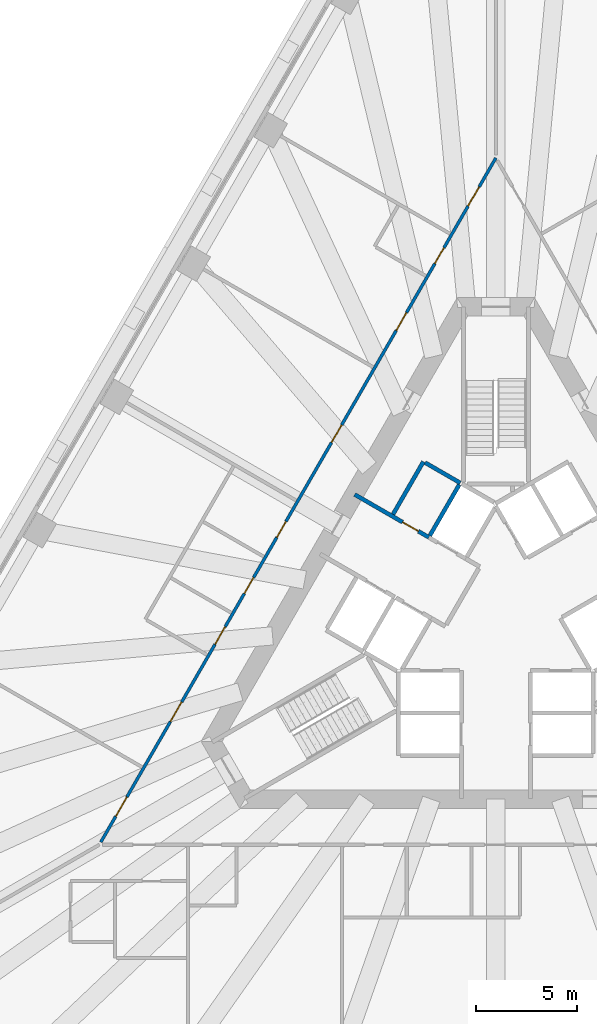
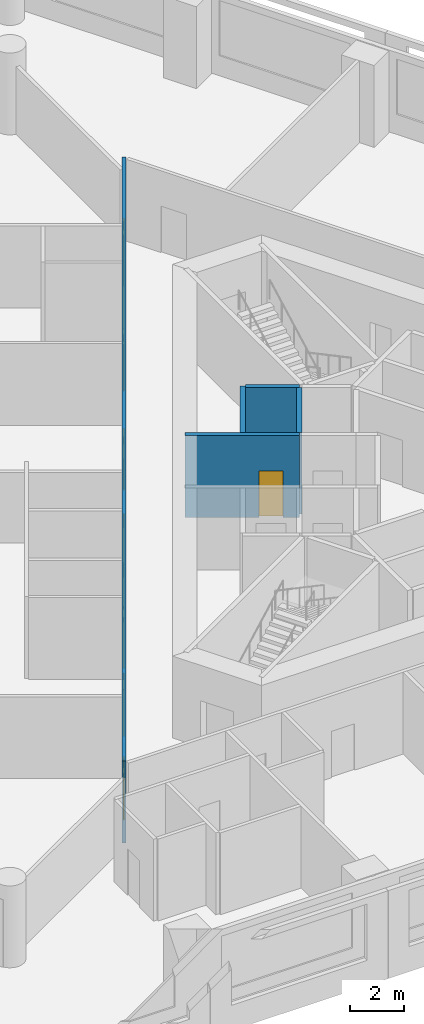
# One storey, part 4 of 11: 10 doors, 5 walls, 10 openings.
"""IFC4 building model written with IfcOpenShell, lengths in metres."""

from ifc_helpers import new_model, si_unit, direction, frame, frame_2d, origin, place, context, subcontext, project, spatial, rectangle, extrude, material, layer, layer_set, type_object, element, fill, save


model = new_model("IFC4")

# Units and contexts
model_context = context("Model", 3, precision=1e-05, world=origin(), true_north=direction((0.0, 1.0)))
body_context = subcontext(model_context, "Body", "Model", "MODEL_VIEW")
ifc_project = project(units=[si_unit("LENGTHUNIT", "METRE"), si_unit("AREAUNIT", "SQUARE_METRE"), si_unit("VOLUMEUNIT", "CUBIC_METRE"), si_unit("PLANEANGLEUNIT", "RADIAN"), si_unit("MASSUNIT", "GRAM", prefix="KILO")], contexts=[model_context])

# Site, building, storey
site_placement = place(None, origin())
site = spatial("IfcSite", under=ifc_project, at=site_placement, CompositionType="ELEMENT")
building_placement = place(site_placement, origin())
building = spatial("IfcBuilding", under=site, at=building_placement, Name="Triada Interchange Tower", CompositionType="ELEMENT")
storey_placement = place(building_placement, frame((0.0, 0.0, 35.300048828125)))
storey = spatial("IfcBuildingStorey", under=building, at=storey_placement, Name="L06", CompositionType="ELEMENT", Elevation=35.300048828125)

# Wall, opening, door
ifc_material_1 = material(Name="Concrete C30/37", Category="concrete")
ifc_layer_1 = layer(ifc_material_1, 0.199951171875)
ifc_layer_set_1 = layer_set([ifc_layer_1], Name="CORE WALL 200 EI 180")
wall_type_1 = type_object("IfcWallType", Name="CORE WALL 200 EI 180", PredefinedType="SOLIDWALL", material=ifc_layer_set_1)
wall_1_placement = place(storey_placement, frame((-6.969970703125, 5.987060546875, 0.0), z_axis=(0.0, 0.0, 1.0), x_axis=(0.866029956157, -0.499992114976, 0.0)))
wall_1 = element("IfcWall", 1, at=wall_1_placement, inside=storey, type_object=wall_type_1, Name="Wall L06 70", PredefinedType="SOLIDWALL", context=body_context, shape_type="SweptSolid", body=[
    extrude(rectangle(XDim=4.23193359375, YDim=0.199951171875, at=frame_2d((2.115966796875, 0.0))), origin(), (0.0, 0.0, 1.0), 3.699951171875),
])
opening_1_placement = place(wall_1_placement, frame((2.72998046875, 0.0, 0.0)))
opening_1 = element("IfcOpeningElement", 2, at=opening_1_placement, cuts=wall_1, Name="Opening D06-10", PredefinedType="OPENING", context=body_context, shape_type="SweptSolid", body=[
    extrude(rectangle(XDim=0.89990234375, YDim=2.10009765625, at=frame_2d((0.449951171875, 1.050048828125))), frame((0.0, 0.10986328125, 0.0), z_axis=(0.0, -1.0, 0.0), x_axis=(1.0, 0.0, 0.0)), (0.0, 0.0, 1.0), 0.219970703125),
])
ifc_material_2 = material(Name="Steel S235 door leaf", Category="steel")
door_type_1 = type_object("IfcDoorType", Name="SERVICE DOOR 900 EI2 90-C5S200", OperationType="NOTDEFINED", PredefinedType="DOOR", material=ifc_material_2)
door_1_placement = place(opening_1_placement, origin())
door_1 = element("IfcDoor", 3, at=door_1_placement, inside=storey, type_object=door_type_1, Name="Door D06-10 L06", OperationType="SINGLE_SWING_LEFT", OverallHeight=2.10009765625, OverallWidth=0.89990234375, PredefinedType="DOOR", context=body_context, shape_type="SweptSolid", body=[
    extrude(rectangle(XDim=0.89990234375, YDim=2.10009765625, at=frame_2d((0.449951171875, 1.050048828125))), frame((0.0, 0.02490234375, 0.0), z_axis=(0.0, -1.0, 0.0), x_axis=(1.0, 0.0, 0.0)), (0.0, 0.0, 1.0), 0.050048828125),
])
fill(opening_1, door_1)

# Walls
wall_2_placement = place(storey_placement, frame((-5.075927734375, 5.009033203125, 0.0), z_axis=(0.0, 0.0, 1.0), x_axis=(0.50002537861, 0.866010750942, 0.0)))
element("IfcWall", 4, at=wall_2_placement, inside=storey, type_object=wall_type_1, Name="Wall L06 72", PredefinedType="SOLIDWALL", context=body_context, shape_type="SweptSolid", body=[
    extrude(rectangle(XDim=2.999755859375, YDim=0.199951171875, at=frame_2d((1.5, 0.0))), origin(), (0.0, 0.0, 1.0), 3.699951171875),
])
wall_3_placement = place(storey_placement, frame((-3.489013671875, 7.556884765625, 0.0), z_axis=(0.0, 0.0, 1.0), x_axis=(0.866010750942, -0.50002537861, 0.0)))
element("IfcWall", 5, at=wall_3_placement, inside=storey, type_object=wall_type_1, Name="Wall L06 73", PredefinedType="SOLIDWALL", context=body_context, shape_type="SweptSolid", body=[
    extrude(rectangle(XDim=2.0, YDim=0.199951171875, at=frame_2d((1.0, 0.0))), origin(), (0.0, 0.0, 1.0), 3.699951171875),
])
wall_4_placement = place(storey_placement, frame((-3.257080078125, 3.958984375, 0.0), z_axis=(0.0, 0.0, 1.0), x_axis=(0.50012328804, 0.865954211699, 0.0)))
element("IfcWall", 6, at=wall_4_placement, inside=storey, type_object=wall_type_1, Name="Shaft wall FF2 L06 80", PredefinedType="SOLIDWALL", context=body_context, shape_type="SweptSolid", body=[
    extrude(rectangle(XDim=2.899658203125, YDim=0.199951171875, at=frame_2d((1.44970703125, 0.0))), origin(), (0.0, 0.0, 1.0), 3.699951171875),
])

# Wall, openings, doors
ifc_material_3 = material(Name="Gypsum board partition")
ifc_layer_2 = layer(ifc_material_3, 0.14990234375)
ifc_layer_set_2 = layer_set([ifc_layer_2], Name="PARTITION 150 EI 180")
wall_type_2 = type_object("IfcWallType", Name="PARTITION 150 EI 180", PredefinedType="PARTITIONING", material=ifc_layer_set_2)
wall_5_placement = place(storey_placement, frame((-19.4970703125, -11.169921875, 0.0), z_axis=(0.0, 0.0, 1.0), x_axis=(0.499998854553, 0.866026065108, 0.0)))
wall_5 = element("IfcWall", 7, at=wall_5_placement, inside=storey, type_object=wall_type_2, Name="Wall L06 4", PredefinedType="PARTITIONING", context=body_context, shape_type="SweptSolid", body=[
    extrude(rectangle(XDim=38.994140625, YDim=0.14990234375, at=frame_2d((19.4970703125, 0.0))), origin(), (0.0, 0.0, 1.0), 3.699951171875),
])
opening_2_placement = place(wall_5_placement, frame((36.243896484375, 0.0, 0.0)))
opening_2 = element("IfcOpeningElement", 8, at=opening_2_placement, cuts=wall_5, Name="Opening D06-31", PredefinedType="OPENING", context=body_context, shape_type="SweptSolid", body=[
    extrude(rectangle(XDim=1.10009765625, YDim=2.10009765625, at=frame_2d((0.550048828125, 1.050048828125))), frame((0.0, 0.0849609375, 0.0), z_axis=(0.0, -1.0, 0.0), x_axis=(1.0, 0.0, 0.0)), (0.0, 0.0, 1.0), 0.169921875),
])
opening_3_placement = place(wall_5_placement, frame((29.1708984375, 0.0, 0.0)))
opening_3 = element("IfcOpeningElement", 9, at=opening_3_placement, cuts=wall_5, Name="Opening D06-32", PredefinedType="OPENING", context=body_context, shape_type="SweptSolid", body=[
    extrude(rectangle(XDim=1.0, YDim=2.10009765625, at=frame_2d((0.5, 1.050048828125))), frame((0.0, 0.0849609375, 0.0), z_axis=(0.0, -1.0, 0.0), x_axis=(1.0, 0.0, 0.0)), (0.0, 0.0, 1.0), 0.169921875),
])
opening_4_placement = place(wall_5_placement, frame((32.970947265625, 0.0, 0.0)))
opening_4 = element("IfcOpeningElement", 10, at=opening_4_placement, cuts=wall_5, Name="Opening D06-33", PredefinedType="OPENING", context=body_context, shape_type="SweptSolid", body=[
    extrude(rectangle(XDim=0.89990234375, YDim=2.10009765625, at=frame_2d((0.449951171875, 1.050048828125))), frame((0.0, 0.0849609375, 0.0), z_axis=(0.0, -1.0, 0.0), x_axis=(1.0, 0.0, 0.0)), (0.0, 0.0, 1.0), 0.169921875),
])
opening_5_placement = place(wall_5_placement, frame((22.77099609375, 0.0, 0.0)))
opening_5 = element("IfcOpeningElement", 11, at=opening_5_placement, cuts=wall_5, Name="Opening D06-34", PredefinedType="OPENING", context=body_context, shape_type="SweptSolid", body=[
    extrude(rectangle(XDim=1.0, YDim=2.10009765625, at=frame_2d((0.5, 1.050048828125))), frame((0.0, 0.0849609375, 0.0), z_axis=(0.0, -1.0, 0.0), x_axis=(1.0, 0.0, 0.0)), (0.0, 0.0, 1.0), 0.169921875),
])
opening_6_placement = place(wall_5_placement, frame((6.8720703125, 0.0, 0.0)))
opening_6 = element("IfcOpeningElement", 12, at=opening_6_placement, cuts=wall_5, Name="Opening D06-35", PredefinedType="OPENING", context=body_context, shape_type="SweptSolid", body=[
    extrude(rectangle(XDim=1.10009765625, YDim=2.10009765625, at=frame_2d((0.550048828125, 1.050048828125))), frame((0.0, 0.0849609375, 0.0), z_axis=(0.0, -1.0, 0.0), x_axis=(1.0, 0.0, 0.0)), (0.0, 0.0, 1.0), 0.169921875),
])
opening_7_placement = place(wall_5_placement, frame((17.3720703125, 0.0, 0.0)))
opening_7 = element("IfcOpeningElement", 13, at=opening_7_placement, cuts=wall_5, Name="Opening D06-36", PredefinedType="OPENING", context=body_context, shape_type="SweptSolid", body=[
    extrude(rectangle(XDim=0.89990234375, YDim=2.10009765625, at=frame_2d((0.449951171875, 1.050048828125))), frame((0.0, 0.0849609375, 0.0), z_axis=(0.0, -1.0, 0.0), x_axis=(1.0, 0.0, 0.0)), (0.0, 0.0, 1.0), 0.169921875),
])
opening_8_placement = place(wall_5_placement, frame((14.172119140625, 0.0, 0.0)))
opening_8 = element("IfcOpeningElement", 14, at=opening_8_placement, cuts=wall_5, Name="Opening D06-37", PredefinedType="OPENING", context=body_context, shape_type="SweptSolid", body=[
    extrude(rectangle(XDim=0.89990234375, YDim=2.10009765625, at=frame_2d((0.449951171875, 1.050048828125))), frame((0.0, 0.0849609375, 0.0), z_axis=(0.0, -1.0, 0.0), x_axis=(1.0, 0.0, 0.0)), (0.0, 0.0, 1.0), 0.169921875),
])
opening_9_placement = place(wall_5_placement, frame((11.27197265625, 0.0, 0.0)))
opening_9 = element("IfcOpeningElement", 15, at=opening_9_placement, cuts=wall_5, Name="Opening D06-38", PredefinedType="OPENING", context=body_context, shape_type="SweptSolid", body=[
    extrude(rectangle(XDim=1.0, YDim=2.10009765625, at=frame_2d((0.5, 1.050048828125))), frame((0.0, 0.0849609375, 0.0), z_axis=(0.0, -1.0, 0.0), x_axis=(1.0, 0.0, 0.0)), (0.0, 0.0, 1.0), 0.169921875),
])
opening_10_placement = place(wall_5_placement, frame((1.472900390625, 0.0, 0.0)))
opening_10 = element("IfcOpeningElement", 16, at=opening_10_placement, cuts=wall_5, Name="Opening D06-39", PredefinedType="OPENING", context=body_context, shape_type="SweptSolid", body=[
    extrude(rectangle(XDim=1.10009765625, YDim=2.10009765625, at=frame_2d((0.550048828125, 1.050048828125))), frame((0.0, 0.0849609375, 0.0), z_axis=(0.0, -1.0, 0.0), x_axis=(1.0, 0.0, 0.0)), (0.0, 0.0, 1.0), 0.169921875),
])
door_type_2 = type_object("IfcDoorType", Name="ROOM DOOR 1000 EI2 90-C5S200", OperationType="NOTDEFINED", PredefinedType="DOOR", material=ifc_material_2)
door_2_placement = place(opening_3_placement, origin())
door_2 = element("IfcDoor", 17, at=door_2_placement, inside=storey, type_object=door_type_2, Name="Door D06-32 L06", OperationType="SINGLE_SWING_LEFT", OverallHeight=2.10009765625, OverallWidth=1.0, PredefinedType="DOOR", context=body_context, shape_type="SweptSolid", body=[
    extrude(rectangle(XDim=1.0, YDim=2.10009765625, at=frame_2d((0.5, 1.050048828125))), frame((0.0, 0.02490234375, 0.0), z_axis=(0.0, -1.0, 0.0), x_axis=(1.0, 0.0, 0.0)), (0.0, 0.0, 1.0), 0.050048828125),
])
fill(opening_3, door_2)
door_3_placement = place(opening_5_placement, origin())
door_3 = element("IfcDoor", 18, at=door_3_placement, inside=storey, type_object=door_type_2, Name="Door D06-34 L06", OperationType="SINGLE_SWING_LEFT", OverallHeight=2.10009765625, OverallWidth=1.0, PredefinedType="DOOR", context=body_context, shape_type="SweptSolid", body=[
    extrude(rectangle(XDim=1.0, YDim=2.10009765625, at=frame_2d((0.5, 1.050048828125))), frame((0.0, 0.02490234375, 0.0), z_axis=(0.0, -1.0, 0.0), x_axis=(1.0, 0.0, 0.0)), (0.0, 0.0, 1.0), 0.050048828125),
])
fill(opening_5, door_3)
door_4_placement = place(opening_9_placement, origin())
door_4 = element("IfcDoor", 19, at=door_4_placement, inside=storey, type_object=door_type_2, Name="Door D06-38 L06", OperationType="SINGLE_SWING_RIGHT", OverallHeight=2.10009765625, OverallWidth=1.0, PredefinedType="DOOR", context=body_context, shape_type="SweptSolid", body=[
    extrude(rectangle(XDim=1.0, YDim=2.10009765625, at=frame_2d((0.5, 1.050048828125))), frame((0.0, 0.02490234375, 0.0), z_axis=(0.0, -1.0, 0.0), x_axis=(1.0, 0.0, 0.0)), (0.0, 0.0, 1.0), 0.050048828125),
])
fill(opening_9, door_4)
door_type_3 = type_object("IfcDoorType", Name="ROOM DOOR 900 EI2 90-C5S200", OperationType="NOTDEFINED", PredefinedType="DOOR", material=ifc_material_2)
door_5_placement = place(opening_7_placement, origin())
door_5 = element("IfcDoor", 20, at=door_5_placement, inside=storey, type_object=door_type_3, Name="Door D06-36 L06", OperationType="SINGLE_SWING_RIGHT", OverallHeight=2.10009765625, OverallWidth=0.89990234375, PredefinedType="DOOR", context=body_context, shape_type="SweptSolid", body=[
    extrude(rectangle(XDim=0.89990234375, YDim=2.10009765625, at=frame_2d((0.449951171875, 1.050048828125))), frame((0.0, 0.02490234375, 0.0), z_axis=(0.0, -1.0, 0.0), x_axis=(1.0, 0.0, 0.0)), (0.0, 0.0, 1.0), 0.050048828125),
])
fill(opening_7, door_5)
door_6_placement = place(opening_8_placement, origin())
door_6 = element("IfcDoor", 21, at=door_6_placement, inside=storey, type_object=door_type_3, Name="Door D06-37 L06", OperationType="SINGLE_SWING_LEFT", OverallHeight=2.10009765625, OverallWidth=0.89990234375, PredefinedType="DOOR", context=body_context, shape_type="SweptSolid", body=[
    extrude(rectangle(XDim=0.89990234375, YDim=2.10009765625, at=frame_2d((0.449951171875, 1.050048828125))), frame((0.0, 0.02490234375, 0.0), z_axis=(0.0, -1.0, 0.0), x_axis=(1.0, 0.0, 0.0)), (0.0, 0.0, 1.0), 0.050048828125),
])
fill(opening_8, door_6)
door_7_placement = place(opening_4_placement, origin())
door_7 = element("IfcDoor", 22, at=door_7_placement, inside=storey, type_object=door_type_1, Name="Door D06-33 L06", OperationType="SINGLE_SWING_LEFT", OverallHeight=2.10009765625, OverallWidth=0.89990234375, PredefinedType="DOOR", context=body_context, shape_type="SweptSolid", body=[
    extrude(rectangle(XDim=0.89990234375, YDim=2.10009765625, at=frame_2d((0.449951171875, 1.050048828125))), frame((0.0, 0.02490234375, 0.0), z_axis=(0.0, -1.0, 0.0), x_axis=(1.0, 0.0, 0.0)), (0.0, 0.0, 1.0), 0.050048828125),
])
fill(opening_4, door_7)
door_type_4 = type_object("IfcDoorType", Name="TENANCY ENTRANCE DOOR 1100 EI2 90-C5S200", OperationType="NOTDEFINED", PredefinedType="DOOR", material=ifc_material_2)
door_8_placement = place(opening_2_placement, origin())
door_8 = element("IfcDoor", 23, at=door_8_placement, inside=storey, type_object=door_type_4, Name="Door D06-31 L06", OperationType="SINGLE_SWING_RIGHT", OverallHeight=2.10009765625, OverallWidth=1.10009765625, PredefinedType="DOOR", context=body_context, shape_type="SweptSolid", body=[
    extrude(rectangle(XDim=1.10009765625, YDim=2.10009765625, at=frame_2d((0.550048828125, 1.050048828125))), frame((0.0, 0.02490234375, 0.0), z_axis=(0.0, -1.0, 0.0), x_axis=(1.0, 0.0, 0.0)), (0.0, 0.0, 1.0), 0.050048828125),
])
fill(opening_2, door_8)
door_9_placement = place(opening_6_placement, origin())
door_9 = element("IfcDoor", 24, at=door_9_placement, inside=storey, type_object=door_type_4, Name="Door D06-35 L06", OperationType="SINGLE_SWING_RIGHT", OverallHeight=2.10009765625, OverallWidth=1.10009765625, PredefinedType="DOOR", context=body_context, shape_type="SweptSolid", body=[
    extrude(rectangle(XDim=1.10009765625, YDim=2.10009765625, at=frame_2d((0.550048828125, 1.050048828125))), frame((0.0, 0.02490234375, 0.0), z_axis=(0.0, -1.0, 0.0), x_axis=(1.0, 0.0, 0.0)), (0.0, 0.0, 1.0), 0.050048828125),
])
fill(opening_6, door_9)
door_10_placement = place(opening_10_placement, origin())
door_10 = element("IfcDoor", 25, at=door_10_placement, inside=storey, type_object=door_type_4, Name="Door D06-39 L06", OperationType="SINGLE_SWING_LEFT", OverallHeight=2.10009765625, OverallWidth=1.10009765625, PredefinedType="DOOR", context=body_context, shape_type="SweptSolid", body=[
    extrude(rectangle(XDim=1.10009765625, YDim=2.10009765625, at=frame_2d((0.550048828125, 1.050048828125))), frame((0.0, 0.02490234375, 0.0), z_axis=(0.0, -1.0, 0.0), x_axis=(1.0, 0.0, 0.0)), (0.0, 0.0, 1.0), 0.050048828125),
])
fill(opening_10, door_10)

save(model, "model.ifc")
